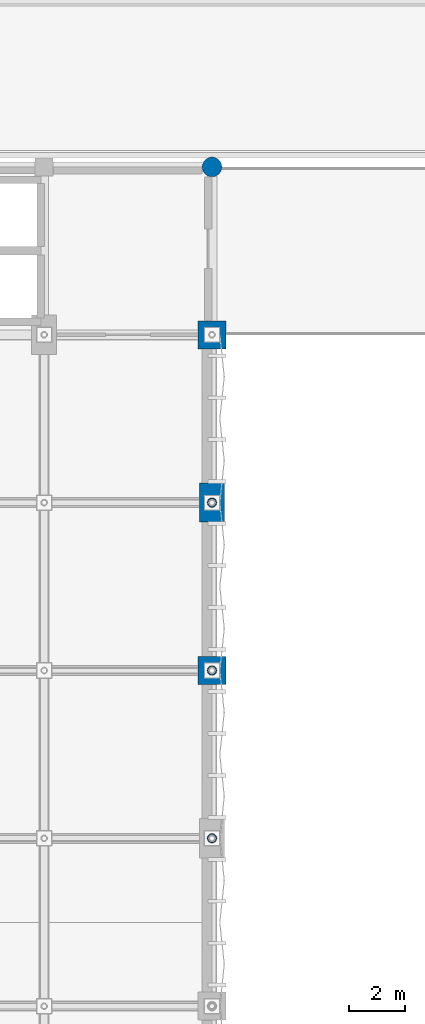
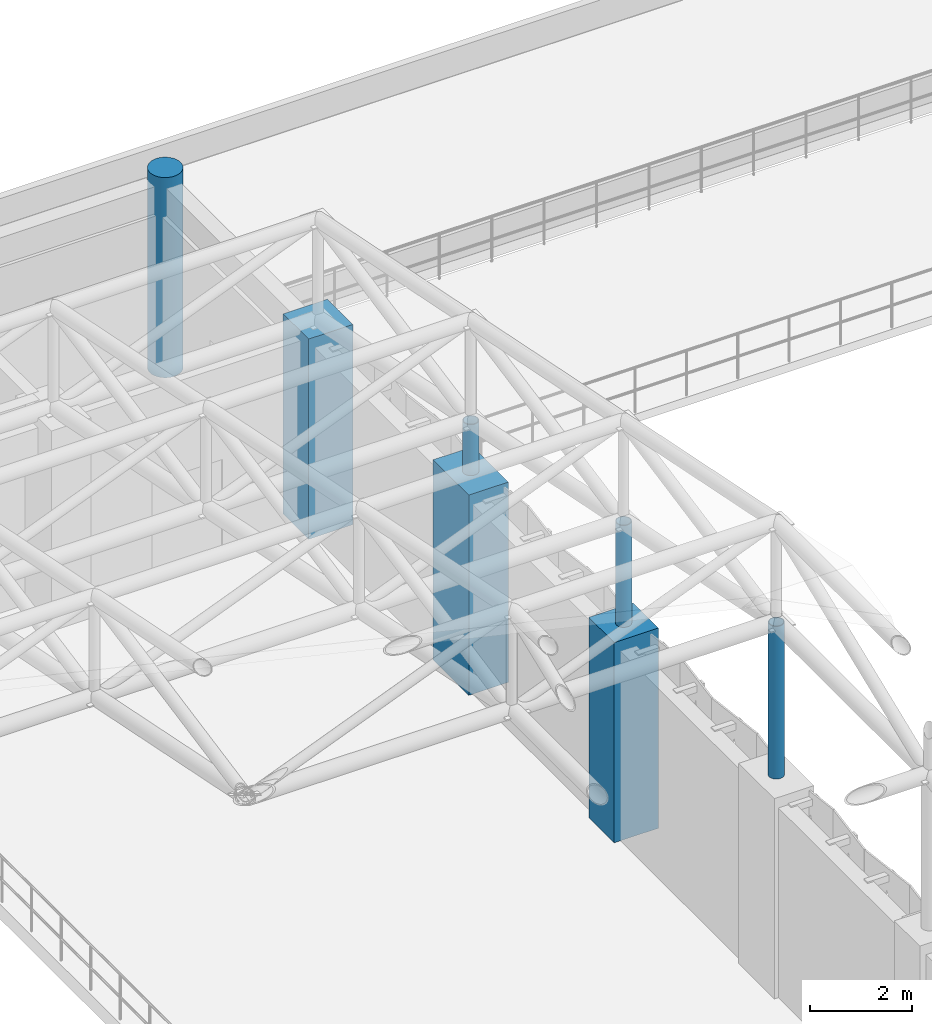
# One storey, part 9 of 112: 7 columns.
"""IFC4 building model written with IfcOpenShell, lengths in metres."""

from ifc_helpers import new_model, si_unit, direction, frame, origin, origin_2d, place, context, subcontext, project, spatial, rectangle, circle, hollow_circle, extrude, material, material_profile, profile_set, type_object, element, save


model = new_model("IFC4")

# Units and contexts
model_context = context("Model", 3, precision=1e-05, world=origin(), true_north=direction((0.0, 1.0)))
body_context = subcontext(model_context, "Body", "Model", "MODEL_VIEW")
ifc_project = project(units=[si_unit("LENGTHUNIT", "METRE"), si_unit("AREAUNIT", "SQUARE_METRE"), si_unit("VOLUMEUNIT", "CUBIC_METRE"), si_unit("PLANEANGLEUNIT", "RADIAN"), si_unit("MASSUNIT", "GRAM", prefix="KILO"), si_unit("THERMODYNAMICTEMPERATUREUNIT", "KELVIN"), si_unit("POWERUNIT", "WATT")], contexts=[model_context])

# Site, building, storey
site_placement = place(None, origin())
site = spatial("IfcSite", under=ifc_project, at=site_placement, CompositionType="ELEMENT")
building_placement = place(site_placement, origin())
building = spatial("IfcBuilding", under=site, at=building_placement, Name="Phaisarnlok Congress Hotel", CompositionType="ELEMENT")
storey_placement = place(building_placement, frame((0.0, 0.0, 19.800048828125)))
storey = spatial("IfcBuildingStorey", under=building, at=storey_placement, Name="L04", CompositionType="ELEMENT", Elevation=19.800048828125)

# Columns
ifc_material_1 = material(Name="Concrete C50/60", Category="concrete")
ifc_material_profile_1 = material_profile(ifc_material_1, rectangle(XDim=1.0, YDim=1.0, at=origin_2d()), Name="RC 1000x1000")
ifc_profile_set_1 = profile_set([ifc_material_profile_1], Name="Concrete C50/60")
column_type_1 = type_object("IfcColumnType", Name="COL-RC-1000", PredefinedType="COLUMN", material=ifc_profile_set_1)
for number, where, z_axis, x_axis, name in (
    (1, (66.0, 72.0, 0.0), (0.0, 0.0, 1.0), (1.0, 0.0, 0.0), "Column C-09 (L04)"),
    (2, (66.0, 84.0, 0.0), (0.0, 0.0, 1.0), (1.0, 0.0, 0.0), "Column C-09 (L04)"),
):
    element("IfcColumn", number, at=place(storey_placement, frame(where, z_axis=z_axis, x_axis=x_axis)), inside=storey, type_object=column_type_1, Name=name, PredefinedType="COLUMN", context=body_context, shape_type="SweptSolid", body=[
        extrude(rectangle(XDim=1.0, YDim=1.0, at=origin_2d()), origin(), (0.0, 0.0, 1.0), 4.800048828125),
    ])
ifc_material_profile_2 = material_profile(ifc_material_1, rectangle(XDim=0.89990234375, YDim=1.39990234375, at=origin_2d()), Name="RC 900x1400")
ifc_profile_set_2 = profile_set([ifc_material_profile_2], Name="Concrete C50/60")
column_type_2 = type_object("IfcColumnType", Name="COL-RC-900x1400", PredefinedType="COLUMN", material=ifc_profile_set_2)
column_1_placement = place(storey_placement, frame((66.0, 78.0, 0.0), z_axis=(0.0, 0.0, 1.0), x_axis=(1.0, 0.0, 0.0)))
element("IfcColumn", 3, at=column_1_placement, inside=storey, type_object=column_type_2, Name="Column C-12 (L04)", PredefinedType="COLUMN", context=body_context, shape_type="SweptSolid", body=[
    extrude(rectangle(XDim=0.89990234375, YDim=1.39990234375, at=origin_2d()), origin(), (0.0, 0.0, 1.0), 4.800048828125),
])
ifc_material_profile_3 = material_profile(ifc_material_1, circle(Radius=0.35009765625, at=origin_2d()), Name="RCC D700")
ifc_profile_set_3 = profile_set([ifc_material_profile_3], Name="Concrete C50/60")
column_type_3 = type_object("IfcColumnType", Name="COL-RCC-700", PredefinedType="COLUMN", material=ifc_profile_set_3)
column_2_placement = place(storey_placement, frame((66.0, 90.0, 0.0), z_axis=(0.0, 0.0, 1.0), x_axis=(1.0, 0.0, 0.0)))
element("IfcColumn", 4, at=column_2_placement, inside=storey, type_object=column_type_3, Name="Column C-13 (L04)", PredefinedType="COLUMN", context=body_context, shape_type="SweptSolid", body=[
    extrude(circle(Radius=0.35009765625, at=origin_2d()), origin(), (0.0, 0.0, 1.0), 4.800048828125),
])
ifc_material_2 = material(Name="Steel S355", Category="steel")
ifc_material_profile_4 = material_profile(ifc_material_2, hollow_circle(Radius=0.161865234375, WallThickness=0.01611328125, at=origin_2d()), Name="CHS 323.9x16")
ifc_profile_set_4 = profile_set([ifc_material_profile_4], Name="Steel S355")
column_type_4 = type_object("IfcColumnType", Name="COL-STL-CHS324", PredefinedType="COLUMN", material=ifc_profile_set_4)
column_3_placement = place(storey_placement, frame((66.0, 66.0, 4.800048828125), z_axis=(0.0, 0.0, 1.0), x_axis=(1.0, 0.0, 0.0)))
element("IfcColumn", 5, at=column_3_placement, inside=storey, type_object=column_type_4, Name="Congress Hall gable roof support post", PredefinedType="COLUMN", context=body_context, shape_type="SweptSolid", body=[
    extrude(hollow_circle(Radius=0.161865234375, WallThickness=0.01611328125, at=origin_2d()), origin(), (0.0, 0.0, 1.0), 3.662109375),
])
column_4_placement = place(storey_placement, frame((66.0, 72.0, 4.800048828125), z_axis=(0.0, 0.0, 1.0), x_axis=(1.0, 0.0, 0.0)))
element("IfcColumn", 6, at=column_4_placement, inside=storey, type_object=column_type_4, Name="Congress Hall gable roof support post", PredefinedType="COLUMN", context=body_context, shape_type="SweptSolid", body=[
    extrude(hollow_circle(Radius=0.161865234375, WallThickness=0.01611328125, at=origin_2d()), origin(), (0.0, 0.0, 1.0), 2.44140625),
])
column_5_placement = place(storey_placement, frame((66.0, 78.0, 4.800048828125), z_axis=(0.0, 0.0, 1.0), x_axis=(1.0, 0.0, 0.0)))
element("IfcColumn", 7, at=column_5_placement, inside=storey, type_object=column_type_4, Name="Congress Hall gable roof support post", PredefinedType="COLUMN", context=body_context, shape_type="SweptSolid", body=[
    extrude(hollow_circle(Radius=0.161865234375, WallThickness=0.01611328125, at=origin_2d()), origin(), (0.0, 0.0, 1.0), 1.220703125),
])

save(model, "model.ifc")
